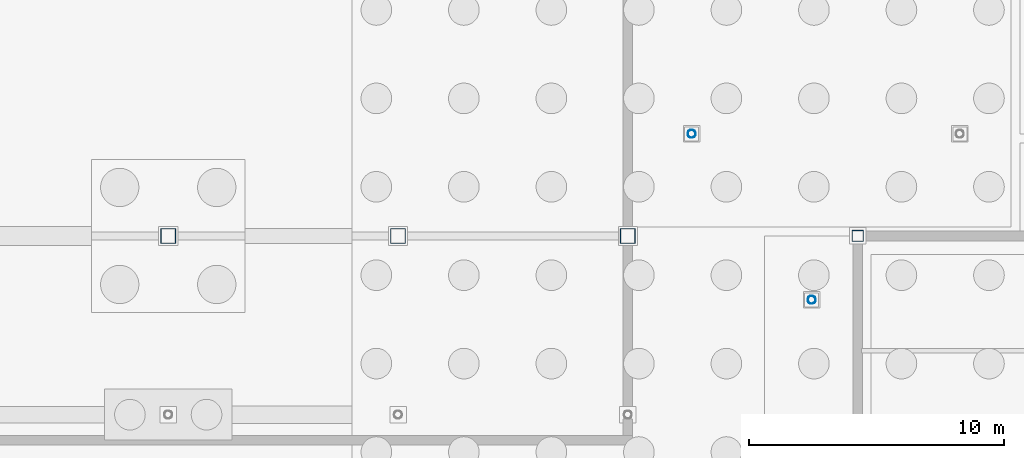
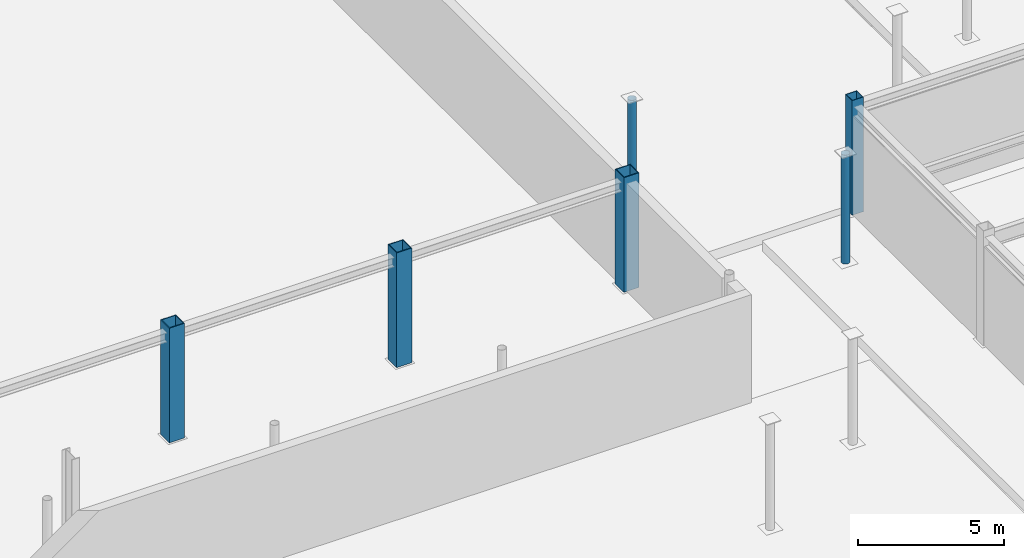
# One storey, part 22 of 74: 6 columns.
"""IFC4 building model written with IfcOpenShell, lengths in metres."""

from ifc_helpers import new_model, si_unit, direction, frame, origin, origin_2d, place, context, subcontext, project, spatial, hollow_rectangle, hollow_circle, extrude, material, material_profile, profile_set, type_object, element, save


model = new_model("IFC4")

# Units and contexts
model_context = context("Model", 3, precision=1e-05, world=origin(), true_north=direction((0.0, 1.0)))
body_context = subcontext(model_context, "Body", "Model", "MODEL_VIEW")
ifc_project = project(units=[si_unit("LENGTHUNIT", "METRE"), si_unit("AREAUNIT", "SQUARE_METRE"), si_unit("VOLUMEUNIT", "CUBIC_METRE"), si_unit("PLANEANGLEUNIT", "RADIAN"), si_unit("MASSUNIT", "GRAM", prefix="KILO")], contexts=[model_context])

# Site, building, storey
site_placement = place(None, origin())
site = spatial("IfcSite", under=ifc_project, at=site_placement, CompositionType="ELEMENT")
building_placement = place(site_placement, origin())
building = spatial("IfcBuilding", under=site, at=building_placement, Name="Suzunagisa Mobility Hub", CompositionType="ELEMENT")
storey_placement = place(building_placement, frame((0.0, 0.0, -4.800048828125)))
storey = spatial("IfcBuildingStorey", under=building, at=storey_placement, Name="B1", CompositionType="ELEMENT", Elevation=-4.800048828125)

# Columns
ifc_material = material(Name="Steel SN490B", Category="steel")
ifc_material_profile_1 = material_profile(ifc_material, hollow_rectangle(XDim=0.60009765625, YDim=0.60009765625, WallThickness=0.031982421875, at=origin_2d()), Name="BOX-600x600x32")
ifc_profile_set_1 = profile_set([ifc_material_profile_1], Name="Steel SN490B")
column_type_1 = type_object("IfcColumnType", Name="Steel Column CL-05 BOX-600x600x32", PredefinedType="COLUMN", material=ifc_profile_set_1)
for number, where, z_axis, x_axis, name in (
    (1, (99.0, 36.0, 0.0), (0.0, 0.0, 1.0), (1.0, 0.0, 0.0), "B1 Column 192"),
    (2, (108.0, 36.0, 0.0), (0.0, 0.0, 1.0), (1.0, 0.0, 0.0), "B1 Column 201"),
    (3, (117.0, 36.0, 0.0), (0.0, 0.0, 1.0), (1.0, 0.0, 0.0), "B1 Column 212"),
):
    element("IfcColumn", number, at=place(storey_placement, frame(where, z_axis=z_axis, x_axis=x_axis)), inside=storey, type_object=column_type_1, Name=name, PredefinedType="COLUMN", context=body_context, shape_type="SweptSolid", body=[
        extrude(hollow_rectangle(XDim=0.60009765625, YDim=0.60009765625, WallThickness=0.031982421875, at=origin_2d()), origin(), (0.0, 0.0, 1.0), 4.800048828125),
    ])
ifc_material_profile_2 = material_profile(ifc_material, hollow_circle(Radius=0.1591796875, WallThickness=0.01025390625, at=origin_2d()), Name="CHS-318.5x10.3")
ifc_profile_set_2 = profile_set([ifc_material_profile_2], Name="Steel SN490B")
column_type_2 = type_object("IfcColumnType", Name="Steel Column CL-09 CHS-318.5x10.3", PredefinedType="COLUMN", material=ifc_profile_set_2)
for number, where, z_axis, x_axis, name in (
    (4, (119.5, 40.0, 0.0), (0.0, 0.0, 1.0), (1.0, 0.0, 0.0), "B1 Column 221"),
    (5, (124.199951171875, 33.5, 0.0), (0.0, 0.0, 1.0), (1.0, 0.0, 0.0), "B1 Column 226"),
):
    element("IfcColumn", number, at=place(storey_placement, frame(where, z_axis=z_axis, x_axis=x_axis)), inside=storey, type_object=column_type_2, Name=name, PredefinedType="COLUMN", context=body_context, shape_type="SweptSolid", body=[
        extrude(hollow_circle(Radius=0.1591796875, WallThickness=0.01025390625, at=origin_2d()), origin(), (0.0, 0.0, 1.0), 4.554931640625),
    ])
ifc_material_profile_3 = material_profile(ifc_material, hollow_rectangle(XDim=0.449951171875, YDim=0.449951171875, WallThickness=0.02197265625, at=origin_2d()), Name="BCR-450x450x22")
ifc_profile_set_3 = profile_set([ifc_material_profile_3], Name="Steel SN490B")
column_type_3 = type_object("IfcColumnType", Name="Steel Column CL-17 BCR-450x450x22", PredefinedType="COLUMN", material=ifc_profile_set_3)
column_placement = place(storey_placement, frame((126.0, 36.0, 0.0), z_axis=(0.0, 0.0, 1.0), x_axis=(1.0, 0.0, 0.0)))
element("IfcColumn", 6, at=column_placement, inside=storey, type_object=column_type_3, Name="B1 Column 232", PredefinedType="COLUMN", context=body_context, shape_type="SweptSolid", body=[
    extrude(hollow_rectangle(XDim=0.449951171875, YDim=0.449951171875, WallThickness=0.02197265625, at=origin_2d()), origin(), (0.0, 0.0, 1.0), 4.800048828125),
])

save(model, "model.ifc")
